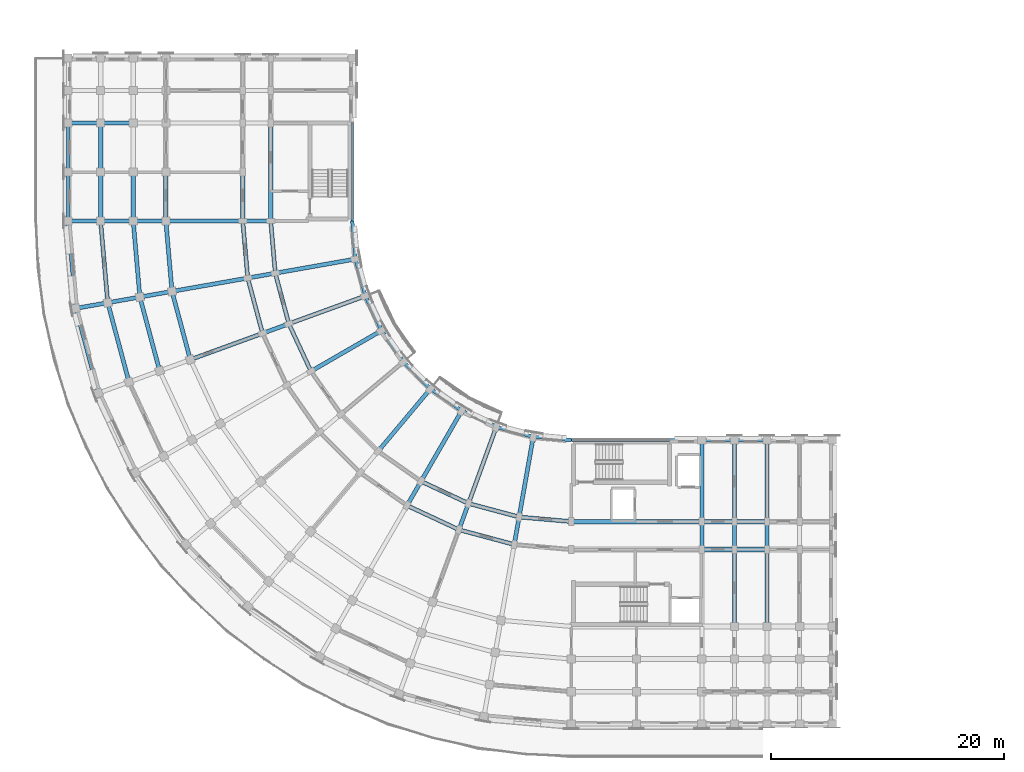
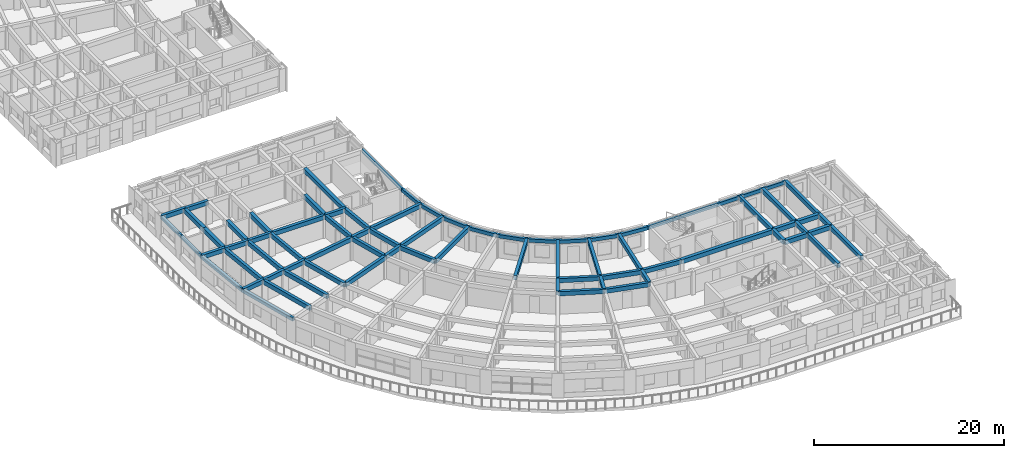
# One storey, part 6 of 57: 76 beams.
"""IFC4 building model written with IfcOpenShell, lengths in metres."""

from ifc_helpers import new_model, si_unit, direction, frame, origin, origin_2d, place, context, subcontext, project, spatial, rectangle, extrude, material, material_profile, profile_set, type_object, element, save


model = new_model("IFC4")

# Units and contexts
model_context = context("Model", 3, precision=1e-05, world=origin(), true_north=direction((0.0, 1.0)))
body_context = subcontext(model_context, "Body", "Model", "MODEL_VIEW")
ifc_project = project(units=[si_unit("LENGTHUNIT", "METRE"), si_unit("AREAUNIT", "SQUARE_METRE"), si_unit("VOLUMEUNIT", "CUBIC_METRE"), si_unit("PLANEANGLEUNIT", "RADIAN"), si_unit("MASSUNIT", "GRAM", prefix="KILO")], contexts=[model_context])

# Site, building, storey
site_placement = place(None, origin())
site = spatial("IfcSite", under=ifc_project, at=site_placement, CompositionType="ELEMENT")
building_placement = place(site_placement, origin())
building = spatial("IfcBuilding", under=site, at=building_placement, Name="Kiranvali Square Residences", CompositionType="ELEMENT")
storey_placement = place(building_placement, frame((0.0, 0.0, 21.300048828125)))
storey = spatial("IfcBuildingStorey", under=building, at=storey_placement, Name="L06", CompositionType="ELEMENT", Elevation=21.300048828125)

# Beams
ifc_material_1 = material(Name="Concrete M40 (40 MPa)", Category="concrete")
ifc_material_profile_1 = material_profile(ifc_material_1, rectangle(XDim=0.35009765625, YDim=0.550048828125, at=origin_2d()), Name="RC 350x550")
ifc_profile_set_1 = profile_set([ifc_material_profile_1], Name="Concrete M40 (40 MPa)")
beam_type_1 = type_object("IfcBeamType", Name="BM-M40-350x550", PredefinedType="BEAM", material=ifc_profile_set_1)
beam_1_placement = place(storey_placement, frame((48.199951171875, 22.39990234375, 2.655029296875), z_axis=(-0.996191949488, 0.087187153726, 0.0), x_axis=(-0.087187153726, -0.996191949488, 0.0)))
element("IfcBeam", 1, at=beam_1_placement, inside=storey, type_object=beam_type_1, Name="L06 beam BM-C-L06-C00-R1", PredefinedType="BEAM", context=body_context, shape_type="SweptSolid", body=[
    extrude(rectangle(XDim=0.35009765625, YDim=0.550048828125, at=origin_2d()), origin(), (0.0, 0.0, 1.0), 4.4970703125),
])
beam_2_placement = place(storey_placement, frame((43.719970703125, 22.7919921875, 2.655029296875), z_axis=(-0.965934240054, 0.258787642463, 0.0), x_axis=(-0.258787642463, -0.965934240054, 0.0)))
element("IfcBeam", 2, at=beam_2_placement, inside=storey, type_object=beam_type_1, Name="L06 beam BM-C-L06-C01-R1", PredefinedType="BEAM", context=body_context, shape_type="SweptSolid", body=[
    extrude(rectangle(XDim=0.35009765625, YDim=0.550048828125, at=origin_2d()), origin(), (0.0, 0.0, 1.0), 4.497314453125),
])
beam_3_placement = place(storey_placement, frame((43.30322265625, 20.428466796875, 2.655029296875), z_axis=(-0.965930095386, 0.258803112091, 0.0), x_axis=(-0.258803112091, -0.965930095386, 0.0)))
element("IfcBeam", 3, at=beam_3_placement, inside=storey, type_object=beam_type_1, Name="L06 beam BM-C-L06-C01-R2", PredefinedType="BEAM", context=body_context, shape_type="SweptSolid", body=[
    extrude(rectangle(XDim=0.35009765625, YDim=0.550048828125, at=origin_2d()), origin(), (0.0, 0.0, 1.0), 4.915771484375),
])
beam_4_placement = place(storey_placement, frame((39.3759765625, 23.955810546875, 2.655029296875), z_axis=(-0.906307919131, 0.422617978463, 0.0), x_axis=(-0.422617978463, -0.906307919131, 0.0)))
element("IfcBeam", 4, at=beam_4_placement, inside=storey, type_object=beam_type_1, Name="L06 beam BM-C-L06-C02-R1", PredefinedType="BEAM", context=body_context, shape_type="SweptSolid", body=[
    extrude(rectangle(XDim=0.35009765625, YDim=0.550048828125, at=origin_2d()), origin(), (0.0, 0.0, 1.0), 4.497314453125),
])
beam_5_placement = place(storey_placement, frame((38.554931640625, 21.70068359375, 2.655029296875), z_axis=(-0.906302381024, 0.422629854778, 0.0), x_axis=(-0.422629854778, -0.906302381024, 0.0)))
element("IfcBeam", 5, at=beam_5_placement, inside=storey, type_object=beam_type_1, Name="L06 beam BM-C-L06-C02-R2", PredefinedType="BEAM", context=body_context, shape_type="SweptSolid", body=[
    extrude(rectangle(XDim=0.35009765625, YDim=0.550048828125, at=origin_2d()), origin(), (0.0, 0.0, 1.0), 4.915283203125),
])
for number, where, z_axis, x_axis, name in (
    (6, (25.8564453125, 35.300048828125, 2.655029296875), (-0.422617978463, 0.906307919131, 0.0), (-0.906307919131, -0.422617978463, 0.0), "L06 beam BM-C-L06-C06-R1"),
    (7, (23.955810546875, 39.3759765625, 2.655029296875), (-0.258787642463, 0.965934240054, 0.0), (-0.965934240054, -0.258787642463, 0.0), "L06 beam BM-C-L06-C07-R1"),
):
    element("IfcBeam", number, at=place(storey_placement, frame(where, z_axis=z_axis, x_axis=x_axis)), inside=storey, type_object=beam_type_1, Name=name, PredefinedType="BEAM", context=body_context, shape_type="SweptSolid", body=[
        extrude(rectangle(XDim=0.35009765625, YDim=0.550048828125, at=origin_2d()), origin(), (0.0, 0.0, 1.0), 4.497314453125),
    ])
beam_6_placement = place(storey_placement, frame((21.70068359375, 38.554931640625, 2.655029296875), z_axis=(-0.258803112091, 0.965930095386, 0.0), x_axis=(-0.965930095386, -0.258803112091, 0.0)))
element("IfcBeam", 8, at=beam_6_placement, inside=storey, type_object=beam_type_1, Name="L06 beam BM-C-L06-C07-R2", PredefinedType="BEAM", context=body_context, shape_type="SweptSolid", body=[
    extrude(rectangle(XDim=0.35009765625, YDim=0.550048828125, at=origin_2d()), origin(), (0.0, 0.0, 1.0), 4.915771484375),
])
beam_7_placement = place(storey_placement, frame((15.498779296875, 36.297607421875, 2.655029296875), z_axis=(-0.258827283048, 0.965923618901, 0.0), x_axis=(-0.965923618901, -0.258827283048, 0.0)))
element("IfcBeam", 9, at=beam_7_placement, inside=storey, type_object=beam_type_1, Name="L06 beam BM-C-L06-C07-R3", PredefinedType="BEAM", context=body_context, shape_type="SweptSolid", body=[
    extrude(rectangle(XDim=0.35009765625, YDim=0.550048828125, at=origin_2d()), origin(), (0.0, 0.0, 1.0), 6.066162109375),
])
beam_8_placement = place(storey_placement, frame((12.86767578125, 35.340087890625, 2.655029296875), z_axis=(-0.258847178297, 0.965918287583, 0.0), x_axis=(-0.965918287583, -0.258847178297, 0.0)))
element("IfcBeam", 10, at=beam_8_placement, inside=storey, type_object=beam_type_1, Name="L06 beam BM-C-L06-C07-R4", PredefinedType="BEAM", context=body_context, shape_type="SweptSolid", body=[
    extrude(rectangle(XDim=0.35009765625, YDim=0.550048828125, at=origin_2d()), origin(), (0.0, 0.0, 1.0), 6.55419921875),
])
beam_9_placement = place(storey_placement, frame((10.236328125, 34.38232421875, 2.655029296875), z_axis=(-0.258799624492, 0.965931029817, 0.0), x_axis=(-0.965931029817, -0.258799624492, 0.0)))
element("IfcBeam", 11, at=beam_9_placement, inside=storey, type_object=beam_type_1, Name="L06 beam BM-C-L06-C07-R5", PredefinedType="BEAM", context=body_context, shape_type="SweptSolid", body=[
    extrude(rectangle(XDim=0.35009765625, YDim=0.550048828125, at=origin_2d()), origin(), (0.0, 0.0, 1.0), 7.042236328125),
])
beam_10_placement = place(storey_placement, frame((22.7919921875, 43.719970703125, 2.655029296875), z_axis=(-0.087187153726, 0.996191949488, 0.0), x_axis=(-0.996191949488, -0.087187153726, 0.0)))
element("IfcBeam", 12, at=beam_10_placement, inside=storey, type_object=beam_type_1, Name="L06 beam BM-C-L06-C08-R1", PredefinedType="BEAM", context=body_context, shape_type="SweptSolid", body=[
    extrude(rectangle(XDim=0.35009765625, YDim=0.550048828125, at=origin_2d()), origin(), (0.0, 0.0, 1.0), 4.4970703125),
])
beam_11_placement = place(storey_placement, frame((20.428466796875, 43.30322265625, 2.655029296875), z_axis=(-0.087167566415, 0.996193663584, 0.0), x_axis=(-0.996193663584, -0.087167566415, 0.0)))
element("IfcBeam", 13, at=beam_11_placement, inside=storey, type_object=beam_type_1, Name="L06 beam BM-C-L06-C08-R2", PredefinedType="BEAM", context=body_context, shape_type="SweptSolid", body=[
    extrude(rectangle(XDim=0.35009765625, YDim=0.550048828125, at=origin_2d()), origin(), (0.0, 0.0, 1.0), 4.91552734375),
])
beam_12_placement = place(storey_placement, frame((13.9287109375, 42.156982421875, 2.655029296875), z_axis=(-0.087174938512, 0.996193018494, 0.0), x_axis=(-0.996193018494, -0.087174938512, 0.0)))
element("IfcBeam", 14, at=beam_12_placement, inside=storey, type_object=beam_type_1, Name="L06 beam BM-C-L06-C08-R3", PredefinedType="BEAM", context=body_context, shape_type="SweptSolid", body=[
    extrude(rectangle(XDim=0.35009765625, YDim=0.550048828125, at=origin_2d()), origin(), (0.0, 0.0, 1.0), 6.066162109375),
])
beam_13_placement = place(storey_placement, frame((11.171142578125, 41.6708984375, 2.655029296875), z_axis=(-0.0871295204, 0.996196991902, 0.0), x_axis=(-0.996196991902, -0.0871295204, 0.0)))
element("IfcBeam", 15, at=beam_13_placement, inside=storey, type_object=beam_type_1, Name="L06 beam BM-C-L06-C08-R4", PredefinedType="BEAM", context=body_context, shape_type="SweptSolid", body=[
    extrude(rectangle(XDim=0.35009765625, YDim=0.550048828125, at=origin_2d()), origin(), (0.0, 0.0, 1.0), 6.553955078125),
])
beam_14_placement = place(storey_placement, frame((8.413818359375, 41.1845703125, 2.655029296875), z_axis=(-0.087156198737, 0.996194658198, 0.0), x_axis=(-0.996194658198, -0.087156198737, 0.0)))
element("IfcBeam", 16, at=beam_14_placement, inside=storey, type_object=beam_type_1, Name="L06 beam BM-C-L06-C08-R5", PredefinedType="BEAM", context=body_context, shape_type="SweptSolid", body=[
    extrude(rectangle(XDim=0.35009765625, YDim=0.550048828125, at=origin_2d()), origin(), (0.0, 0.0, 1.0), 7.042236328125),
])
beam_15_placement = place(storey_placement, frame((44.935302734375, 29.685546875, 2.655029296875), z_axis=(-0.173622177865, -0.984812337125, 0.0), x_axis=(0.984812337125, -0.173622177865, 0.0)))
element("IfcBeam", 17, at=beam_15_placement, inside=storey, type_object=beam_type_1, Name="L06 beam BM-C-L06-RAD01-01", PredefinedType="BEAM", context=body_context, shape_type="SweptSolid", body=[
    extrude(rectangle(XDim=0.35009765625, YDim=0.550048828125, at=origin_2d()), origin(), (0.0, 0.0, 1.0), 6.999755859375),
])
beam_16_placement = place(storey_placement, frame((43.719970703125, 22.7919921875, 2.655029296875), z_axis=(-0.173646056486, -0.984808127031, 0.0), x_axis=(0.984808127031, -0.173646056486, 0.0)))
element("IfcBeam", 18, at=beam_16_placement, inside=storey, type_object=beam_type_1, Name="L06 beam BM-C-L06-RAD01-12", PredefinedType="BEAM", context=body_context, shape_type="SweptSolid", body=[
    extrude(rectangle(XDim=0.35009765625, YDim=0.550048828125, at=origin_2d()), origin(), (0.0, 0.0, 1.0), 2.39990234375),
])
beam_17_placement = place(storey_placement, frame((41.77001953125, 30.53369140625, 2.655029296875), z_axis=(-0.342006283793, -0.939697665127, 0.0), x_axis=(0.939697665127, -0.342006283793, 0.0)))
element("IfcBeam", 19, at=beam_17_placement, inside=storey, type_object=beam_type_1, Name="L06 beam BM-C-L06-RAD02-01", PredefinedType="BEAM", context=body_context, shape_type="SweptSolid", body=[
    extrude(rectangle(XDim=0.35009765625, YDim=0.550048828125, at=origin_2d()), origin(), (0.0, 0.0, 1.0), 7.0),
])
beam_18_placement = place(storey_placement, frame((39.3759765625, 23.955810546875, 2.655029296875), z_axis=(-0.342110593602, -0.939659694648, 0.0), x_axis=(0.939659694648, -0.342110593602, 0.0)))
element("IfcBeam", 20, at=beam_18_placement, inside=storey, type_object=beam_type_1, Name="L06 beam BM-C-L06-RAD02-12", PredefinedType="BEAM", context=body_context, shape_type="SweptSolid", body=[
    extrude(rectangle(XDim=0.35009765625, YDim=0.550048828125, at=origin_2d()), origin(), (0.0, 0.0, 1.0), 2.39990234375),
])
beam_19_placement = place(storey_placement, frame((38.800048828125, 31.918701171875, 2.655029296875), z_axis=(-0.499995173006, -0.866028190633, 0.0), x_axis=(0.866028190633, -0.499995173006, 0.0)))
element("IfcBeam", 21, at=beam_19_placement, inside=storey, type_object=beam_type_1, Name="L06 beam BM-C-L06-RAD03-01", PredefinedType="BEAM", context=body_context, shape_type="SweptSolid", body=[
    extrude(rectangle(XDim=0.35009765625, YDim=0.550048828125, at=origin_2d()), origin(), (0.0, 0.0, 1.0), 7.0),
])
beam_20_placement = place(storey_placement, frame((35.300048828125, 25.8564453125, 2.655029296875), z_axis=(-0.500001309137, -0.866024647952, 0.0), x_axis=(0.866024647952, -0.500001309137, 0.0)))
element("IfcBeam", 22, at=beam_20_placement, inside=storey, type_object=beam_type_1, Name="L06 beam BM-C-L06-RAD03-12", PredefinedType="BEAM", context=body_context, shape_type="SweptSolid", body=[
    extrude(rectangle(XDim=0.35009765625, YDim=0.550048828125, at=origin_2d()), origin(), (0.0, 0.0, 1.0), 2.39990234375),
])
for number, where, z_axis, x_axis, name in (
    (23, (36.115478515625, 33.79833984375, 2.655029296875), (-0.642787931032, -0.766044173478, 0.0), (0.766044173478, -0.642787931032, 0.0), "L06 beam BM-C-L06-RAD04-01"),
    (24, (31.918701171875, 38.800048828125, 2.655029296875), (-0.866028190633, -0.499995173006, 0.0), (0.499995173006, -0.866028190633, 0.0), "L06 beam BM-C-L06-RAD06-01"),
    (25, (30.53369140625, 41.77001953125, 2.655029296875), (-0.939697665127, -0.342006283793, 0.0), (0.342006283793, -0.939697665127, 0.0), "L06 beam BM-C-L06-RAD07-01"),
):
    element("IfcBeam", number, at=place(storey_placement, frame(where, z_axis=z_axis, x_axis=x_axis)), inside=storey, type_object=beam_type_1, Name=name, PredefinedType="BEAM", context=body_context, shape_type="SweptSolid", body=[
        extrude(rectangle(XDim=0.35009765625, YDim=0.550048828125, at=origin_2d()), origin(), (0.0, 0.0, 1.0), 7.0),
    ])
beam_21_placement = place(storey_placement, frame((23.955810546875, 39.3759765625, 2.655029296875), z_axis=(-0.939659694648, -0.342110593602, 0.0), x_axis=(0.342110593602, -0.939659694648, 0.0)))
element("IfcBeam", 26, at=beam_21_placement, inside=storey, type_object=beam_type_1, Name="L06 beam BM-C-L06-RAD07-12", PredefinedType="BEAM", context=body_context, shape_type="SweptSolid", body=[
    extrude(rectangle(XDim=0.35009765625, YDim=0.550048828125, at=origin_2d()), origin(), (0.0, 0.0, 1.0), 2.39990234375),
])
beam_22_placement = place(storey_placement, frame((21.70068359375, 38.554931640625, 2.655029296875), z_axis=(-0.939691858249, -0.342022238372, 0.0), x_axis=(0.342022238372, -0.939691858249, 0.0)))
element("IfcBeam", 27, at=beam_22_placement, inside=storey, type_object=beam_type_1, Name="L06 beam BM-C-L06-RAD07-23", PredefinedType="BEAM", context=body_context, shape_type="SweptSolid", body=[
    extrude(rectangle(XDim=0.35009765625, YDim=0.550048828125, at=origin_2d()), origin(), (0.0, 0.0, 1.0), 6.599853515625),
])
beam_23_placement = place(storey_placement, frame((29.685546875, 44.935302734375, 2.655029296875), z_axis=(-0.984812337125, -0.173622177865, 0.0), x_axis=(0.173622177865, -0.984812337125, 0.0)))
element("IfcBeam", 28, at=beam_23_placement, inside=storey, type_object=beam_type_1, Name="L06 beam BM-C-L06-RAD08-01", PredefinedType="BEAM", context=body_context, shape_type="SweptSolid", body=[
    extrude(rectangle(XDim=0.35009765625, YDim=0.550048828125, at=origin_2d()), origin(), (0.0, 0.0, 1.0), 6.999755859375),
])
beam_24_placement = place(storey_placement, frame((22.7919921875, 43.719970703125, 2.655029296875), z_axis=(-0.984808127031, -0.173646056486, 0.0), x_axis=(0.173646056486, -0.984808127031, 0.0)))
element("IfcBeam", 29, at=beam_24_placement, inside=storey, type_object=beam_type_1, Name="L06 beam BM-C-L06-RAD08-12", PredefinedType="BEAM", context=body_context, shape_type="SweptSolid", body=[
    extrude(rectangle(XDim=0.35009765625, YDim=0.550048828125, at=origin_2d()), origin(), (0.0, 0.0, 1.0), 2.39990234375),
])
beam_25_placement = place(storey_placement, frame((20.428466796875, 43.30322265625, 2.655029296875), z_axis=(-0.984803661269, -0.173671381499, 0.0), x_axis=(0.173671381499, -0.984803661269, 0.0)))
element("IfcBeam", 30, at=beam_25_placement, inside=storey, type_object=beam_type_1, Name="L06 beam BM-C-L06-RAD08-23", PredefinedType="BEAM", context=body_context, shape_type="SweptSolid", body=[
    extrude(rectangle(XDim=0.35009765625, YDim=0.550048828125, at=origin_2d()), origin(), (0.0, 0.0, 1.0), 6.60009765625),
])
beam_26_placement = place(storey_placement, frame((13.9287109375, 42.156982421875, 2.655029296875), z_axis=(-0.984816895441, -0.173596320392, 0.0), x_axis=(0.173596320392, -0.984816895441, 0.0)))
element("IfcBeam", 31, at=beam_26_placement, inside=storey, type_object=beam_type_1, Name="L06 beam BM-C-L06-RAD08-34", PredefinedType="BEAM", context=body_context, shape_type="SweptSolid", body=[
    extrude(rectangle(XDim=0.35009765625, YDim=0.550048828125, at=origin_2d()), origin(), (0.0, 0.0, 1.0), 2.800048828125),
])
beam_27_placement = place(storey_placement, frame((11.171142578125, 41.6708984375, 2.655029296875), z_axis=(-0.984799355489, -0.173695795656, 0.0), x_axis=(0.173695795656, -0.984799355489, 0.0)))
element("IfcBeam", 32, at=beam_27_placement, inside=storey, type_object=beam_type_1, Name="L06 beam BM-C-L06-RAD08-45", PredefinedType="BEAM", context=body_context, shape_type="SweptSolid", body=[
    extrude(rectangle(XDim=0.35009765625, YDim=0.550048828125, at=origin_2d()), origin(), (0.0, 0.0, 1.0), 2.7998046875),
])
beam_28_placement = place(storey_placement, frame((8.413818359375, 41.1845703125, 2.695068359375), z_axis=(-0.984816895441, -0.173596320392, 0.0), x_axis=(0.173596320392, -0.984816895441, 0.0)))
element("IfcBeam", 33, at=beam_28_placement, inside=storey, type_object=beam_type_1, Name="L06 beam BM-C-L06-RAD08-56", PredefinedType="BEAM", context=body_context, shape_type="SweptSolid", body=[
    extrude(rectangle(XDim=0.35009765625, YDim=0.550048828125, at=origin_2d()), origin(), (0.0, 0.0, 1.0), 2.800048828125),
])
beam_29_placement = place(storey_placement, frame((59.39990234375, 29.39990234375, 2.655029296875), z_axis=(0.0, -1.0, 0.0), x_axis=(1.0, 0.0, 0.0)))
element("IfcBeam", 34, at=beam_29_placement, inside=storey, type_object=beam_type_1, Name="L06 beam BM-C-L06-A1T1-01", PredefinedType="BEAM", context=body_context, shape_type="SweptSolid", body=[
    extrude(rectangle(XDim=0.35009765625, YDim=0.550048828125, at=origin_2d()), origin(), (0.0, 0.0, 1.0), 7.0),
])
beam_30_placement = place(storey_placement, frame((59.39990234375, 22.39990234375, 2.655029296875), z_axis=(0.0, -1.0, 0.0), x_axis=(1.0, 0.0, 0.0)))
element("IfcBeam", 35, at=beam_30_placement, inside=storey, type_object=beam_type_1, Name="L06 beam BM-C-L06-A1T1-12", PredefinedType="BEAM", context=body_context, shape_type="SweptSolid", body=[
    extrude(rectangle(XDim=0.35009765625, YDim=0.550048828125, at=origin_2d()), origin(), (0.0, 0.0, 1.0), 2.39990234375),
])
beam_31_placement = place(storey_placement, frame((62.199951171875, 29.39990234375, 2.655029296875), z_axis=(0.0, -1.0, 0.0), x_axis=(1.0, 0.0, 0.0)))
element("IfcBeam", 36, at=beam_31_placement, inside=storey, type_object=beam_type_1, Name="L06 beam BM-C-L06-A1T2-01", PredefinedType="BEAM", context=body_context, shape_type="SweptSolid", body=[
    extrude(rectangle(XDim=0.35009765625, YDim=0.550048828125, at=origin_2d()), origin(), (0.0, 0.0, 1.0), 7.0),
])
beam_32_placement = place(storey_placement, frame((62.199951171875, 22.39990234375, 2.655029296875), z_axis=(0.0, -1.0, 0.0), x_axis=(1.0, 0.0, 0.0)))
element("IfcBeam", 37, at=beam_32_placement, inside=storey, type_object=beam_type_1, Name="L06 beam BM-C-L06-A1T2-12", PredefinedType="BEAM", context=body_context, shape_type="SweptSolid", body=[
    extrude(rectangle(XDim=0.35009765625, YDim=0.550048828125, at=origin_2d()), origin(), (0.0, 0.0, 1.0), 2.39990234375),
])
beam_33_placement = place(storey_placement, frame((62.199951171875, 20.0, 2.655029296875), z_axis=(0.0, -1.0, 0.0), x_axis=(1.0, 0.0, 0.0)))
element("IfcBeam", 38, at=beam_33_placement, inside=storey, type_object=beam_type_1, Name="L06 beam BM-C-L06-A1T2-23", PredefinedType="BEAM", context=body_context, shape_type="SweptSolid", body=[
    extrude(rectangle(XDim=0.35009765625, YDim=0.550048828125, at=origin_2d()), origin(), (0.0, 0.0, 1.0), 6.60009765625),
])
beam_34_placement = place(storey_placement, frame((65.0, 29.39990234375, 2.655029296875), z_axis=(0.0, -1.0, 0.0), x_axis=(1.0, 0.0, 0.0)))
element("IfcBeam", 39, at=beam_34_placement, inside=storey, type_object=beam_type_1, Name="L06 beam BM-C-L06-A1T3-01", PredefinedType="BEAM", context=body_context, shape_type="SweptSolid", body=[
    extrude(rectangle(XDim=0.35009765625, YDim=0.550048828125, at=origin_2d()), origin(), (0.0, 0.0, 1.0), 7.0),
])
beam_35_placement = place(storey_placement, frame((65.0, 22.39990234375, 2.655029296875), z_axis=(0.0, -1.0, 0.0), x_axis=(1.0, 0.0, 0.0)))
element("IfcBeam", 40, at=beam_35_placement, inside=storey, type_object=beam_type_1, Name="L06 beam BM-C-L06-A1T3-12", PredefinedType="BEAM", context=body_context, shape_type="SweptSolid", body=[
    extrude(rectangle(XDim=0.35009765625, YDim=0.550048828125, at=origin_2d()), origin(), (0.0, 0.0, 1.0), 2.39990234375),
])
beam_36_placement = place(storey_placement, frame((65.0, 20.0, 2.655029296875), z_axis=(0.0, -1.0, 0.0), x_axis=(1.0, 0.0, 0.0)))
element("IfcBeam", 41, at=beam_36_placement, inside=storey, type_object=beam_type_1, Name="L06 beam BM-C-L06-A1T3-23", PredefinedType="BEAM", context=body_context, shape_type="SweptSolid", body=[
    extrude(rectangle(XDim=0.35009765625, YDim=0.550048828125, at=origin_2d()), origin(), (0.0, 0.0, 1.0), 6.60009765625),
])
beam_37_placement = place(storey_placement, frame((22.39990234375, 48.199951171875, 2.655029296875), z_axis=(-1.0, 0.0, 0.0), x_axis=(0.0, -1.0, 0.0)))
element("IfcBeam", 42, at=beam_37_placement, inside=storey, type_object=beam_type_1, Name="L06 beam BM-C-L06-A2T0-12", PredefinedType="BEAM", context=body_context, shape_type="SweptSolid", body=[
    extrude(rectangle(XDim=0.35009765625, YDim=0.550048828125, at=origin_2d()), origin(), (0.0, 0.0, 1.0), 2.39990234375),
])
beam_38_placement = place(storey_placement, frame((20.0, 48.199951171875, 2.655029296875), z_axis=(-1.0, 0.0, 0.0), x_axis=(0.0, -1.0, 0.0)))
element("IfcBeam", 43, at=beam_38_placement, inside=storey, type_object=beam_type_1, Name="L06 beam BM-C-L06-A2T0-23", PredefinedType="BEAM", context=body_context, shape_type="SweptSolid", body=[
    extrude(rectangle(XDim=0.35009765625, YDim=0.550048828125, at=origin_2d()), origin(), (0.0, 0.0, 1.0), 6.60009765625),
])
beam_39_placement = place(storey_placement, frame((13.39990234375, 48.199951171875, 2.655029296875), z_axis=(-1.0, 0.0, 0.0), x_axis=(0.0, -1.0, 0.0)))
element("IfcBeam", 44, at=beam_39_placement, inside=storey, type_object=beam_type_1, Name="L06 beam BM-C-L06-A2T0-34", PredefinedType="BEAM", context=body_context, shape_type="SweptSolid", body=[
    extrude(rectangle(XDim=0.35009765625, YDim=0.550048828125, at=origin_2d()), origin(), (0.0, 0.0, 1.0), 2.7998046875),
])
for number, where, z_axis, x_axis, name in (
    (45, (10.60009765625, 48.199951171875, 2.655029296875), (-1.0, 0.0, 0.0), (0.0, -1.0, 0.0), "L06 beam BM-C-L06-A2T0-45"),
    (46, (7.800048828125, 48.199951171875, 2.695068359375), (-1.0, 0.0, 0.0), (0.0, -1.0, 0.0), "L06 beam BM-C-L06-A2T0-56"),
    (47, (10.60009765625, 56.60009765625, 2.655029296875), (-1.0, 0.0, 0.0), (0.0, -1.0, 0.0), "L06 beam BM-C-L06-A2T1-45"),
    (48, (7.800048828125, 56.60009765625, 2.695068359375), (-1.0, 0.0, 0.0), (0.0, -1.0, 0.0), "L06 beam BM-C-L06-A2T1-56"),
):
    element("IfcBeam", number, at=place(storey_placement, frame(where, z_axis=z_axis, x_axis=x_axis)), inside=storey, type_object=beam_type_1, Name=name, PredefinedType="BEAM", context=body_context, shape_type="SweptSolid", body=[
        extrude(rectangle(XDim=0.35009765625, YDim=0.550048828125, at=origin_2d()), origin(), (0.0, 0.0, 1.0), 2.800048828125),
    ])
ifc_material_2 = material(Name="Concrete M45 (45 MPa)", Category="concrete")
ifc_material_profile_2 = material_profile(ifc_material_2, rectangle(XDim=0.39990234375, YDim=0.550048828125, at=origin_2d()), Name="RC 400x550")
ifc_profile_set_2 = profile_set([ifc_material_profile_2], Name="Concrete M45 (45 MPa)")
beam_type_2 = type_object("IfcBeamType", Name="BM-M45-400x550", PredefinedType="BEAM", material=ifc_profile_set_2)
beam_40_placement = place(storey_placement, frame((48.199951171875, 22.39990234375, 2.655029296875), z_axis=(1.0, 0.0, 0.0), x_axis=(0.0, 1.0, 0.0)))
element("IfcBeam", 49, at=beam_40_placement, inside=storey, type_object=beam_type_2, Name="L06 beam BM-C-L06-A1U0-R1", PredefinedType="BEAM", context=body_context, shape_type="SweptSolid", body=[
    extrude(rectangle(XDim=0.39990234375, YDim=0.550048828125, at=origin_2d()), origin(), (0.0, 0.0, 1.0), 11.199951171875),
])
for number, where, z_axis, x_axis, name in (
    (50, (59.39990234375, 22.39990234375, 2.655029296875), (1.0, 0.0, 0.0), (0.0, 1.0, 0.0), "L06 beam BM-C-L06-A1U1-R1"),
    (51, (62.199951171875, 22.39990234375, 2.655029296875), (1.0, 0.0, 0.0), (0.0, 1.0, 0.0), "L06 beam BM-C-L06-A1U2-R1"),
    (52, (59.39990234375, 20.0, 2.655029296875), (1.0, 0.0, 0.0), (0.0, 1.0, 0.0), "L06 beam BM-C-L06-A1U1-R2"),
    (53, (62.199951171875, 20.0, 2.655029296875), (1.0, 0.0, 0.0), (0.0, 1.0, 0.0), "L06 beam BM-C-L06-A1U2-R2"),
):
    element("IfcBeam", number, at=place(storey_placement, frame(where, z_axis=z_axis, x_axis=x_axis)), inside=storey, type_object=beam_type_2, Name=name, PredefinedType="BEAM", context=body_context, shape_type="SweptSolid", body=[
        extrude(rectangle(XDim=0.39990234375, YDim=0.550048828125, at=origin_2d()), origin(), (0.0, 0.0, 1.0), 2.800048828125),
    ])
beam_41_placement = place(storey_placement, frame((22.39990234375, 48.199951171875, 2.655029296875), z_axis=(0.0, 1.0, 0.0), x_axis=(-1.0, 0.0, 0.0)))
element("IfcBeam", 54, at=beam_41_placement, inside=storey, type_object=beam_type_2, Name="L06 beam BM-C-L06-A2V0-R1", PredefinedType="BEAM", context=body_context, shape_type="SweptSolid", body=[
    extrude(rectangle(XDim=0.39990234375, YDim=0.550048828125, at=origin_2d()), origin(), (0.0, 0.0, 1.0), 8.400146484375),
])
for number, where, z_axis, x_axis, name in (
    (55, (20.0, 48.199951171875, 2.655029296875), (0.0, 1.0, 0.0), (-1.0, 0.0, 0.0), "L06 beam BM-C-L06-A2V0-R2"),
    (56, (13.39990234375, 48.199951171875, 2.655029296875), (0.0, 1.0, 0.0), (-1.0, 0.0, 0.0), "L06 beam BM-C-L06-A2V0-R3"),
    (57, (10.60009765625, 48.199951171875, 2.655029296875), (0.0, 1.0, 0.0), (-1.0, 0.0, 0.0), "L06 beam BM-C-L06-A2V0-R4"),
    (58, (7.800048828125, 48.199951171875, 2.655029296875), (0.0, 1.0, 0.0), (-1.0, 0.0, 0.0), "L06 beam BM-C-L06-A2V0-R5"),
):
    element("IfcBeam", number, at=place(storey_placement, frame(where, z_axis=z_axis, x_axis=x_axis)), inside=storey, type_object=beam_type_2, Name=name, PredefinedType="BEAM", context=body_context, shape_type="SweptSolid", body=[
        extrude(rectangle(XDim=0.39990234375, YDim=0.550048828125, at=origin_2d()), origin(), (0.0, 0.0, 1.0), 4.199951171875),
    ])
beam_42_placement = place(storey_placement, frame((7.800048828125, 52.39990234375, 2.655029296875), z_axis=(0.0, 1.0, 0.0), x_axis=(-1.0, 0.0, 0.0)))
element("IfcBeam", 59, at=beam_42_placement, inside=storey, type_object=beam_type_2, Name="L06 beam BM-C-L06-A2V1-R5", PredefinedType="BEAM", context=body_context, shape_type="SweptSolid", body=[
    extrude(rectangle(XDim=0.39990234375, YDim=0.550048828125, at=origin_2d()), origin(), (0.0, 0.0, 1.0), 4.2001953125),
])
ifc_material_profile_3 = material_profile(ifc_material_1, rectangle(XDim=0.25, YDim=0.449951171875, at=origin_2d()), Name="RC 250x450")
ifc_profile_set_3 = profile_set([ifc_material_profile_3], Name="Concrete M40 (40 MPa)")
beam_type_3 = type_object("IfcBeamType", Name="SPN-M40-250x450", PredefinedType="SPANDREL", material=ifc_profile_set_3)
beam_43_placement = place(storey_placement, frame((48.199951171875, 29.39990234375, 2.704833984375), z_axis=(1.0, 0.0, 0.0), x_axis=(0.0, 1.0, 0.0)))
element("IfcBeam", 60, at=beam_43_placement, inside=storey, type_object=beam_type_3, Name="L06 beam BM-C-L06-A1U0-R0", PredefinedType="SPANDREL", context=body_context, shape_type="SweptSolid", body=[
    extrude(rectangle(XDim=0.25, YDim=0.449951171875, at=origin_2d()), origin(), (0.0, 0.0, 1.0), 11.199951171875),
])
for number, where, z_axis, x_axis, name in (
    (61, (59.39990234375, 29.39990234375, 2.704833984375), (1.0, 0.0, 0.0), (0.0, 1.0, 0.0), "L06 beam BM-C-L06-A1U1-R0"),
    (62, (62.199951171875, 29.39990234375, 2.704833984375), (1.0, 0.0, 0.0), (0.0, 1.0, 0.0), "L06 beam BM-C-L06-A1U2-R0"),
):
    element("IfcBeam", number, at=place(storey_placement, frame(where, z_axis=z_axis, x_axis=x_axis)), inside=storey, type_object=beam_type_3, Name=name, PredefinedType="SPANDREL", context=body_context, shape_type="SweptSolid", body=[
        extrude(rectangle(XDim=0.25, YDim=0.449951171875, at=origin_2d()), origin(), (0.0, 0.0, 1.0), 2.800048828125),
    ])
beam_44_placement = place(storey_placement, frame((29.39990234375, 48.199951171875, 2.704833984375), z_axis=(0.0, 1.0, 0.0), x_axis=(-1.0, 0.0, 0.0)))
element("IfcBeam", 63, at=beam_44_placement, inside=storey, type_object=beam_type_3, Name="L06 beam BM-C-L06-A2V0-R0", PredefinedType="SPANDREL", context=body_context, shape_type="SweptSolid", body=[
    extrude(rectangle(XDim=0.25, YDim=0.449951171875, at=origin_2d()), origin(), (0.0, 0.0, 1.0), 8.400146484375),
])
beam_45_placement = place(storey_placement, frame((5.0, 48.199951171875, 2.744873046875), z_axis=(0.0, 1.0, 0.0), x_axis=(-1.0, 0.0, 0.0)))
element("IfcBeam", 64, at=beam_45_placement, inside=storey, type_object=beam_type_3, Name="L06 beam BM-C-L06-A2V0-R6", PredefinedType="SPANDREL", context=body_context, shape_type="SweptSolid", body=[
    extrude(rectangle(XDim=0.25, YDim=0.449951171875, at=origin_2d()), origin(), (0.0, 0.0, 1.0), 4.199951171875),
])
beam_46_placement = place(storey_placement, frame((5.0, 52.39990234375, 2.744873046875), z_axis=(0.0, 1.0, 0.0), x_axis=(-1.0, 0.0, 0.0)))
element("IfcBeam", 65, at=beam_46_placement, inside=storey, type_object=beam_type_3, Name="L06 beam BM-C-L06-A2V1-R6", PredefinedType="SPANDREL", context=body_context, shape_type="SweptSolid", body=[
    extrude(rectangle(XDim=0.25, YDim=0.449951171875, at=origin_2d()), origin(), (0.0, 0.0, 1.0), 4.2001953125),
])
ifc_material_profile_4 = material_profile(ifc_material_1, rectangle(XDim=0.300048828125, YDim=0.449951171875, at=origin_2d()), Name="RC 300x450")
ifc_profile_set_4 = profile_set([ifc_material_profile_4], Name="Concrete M40 (40 MPa)")
beam_type_4 = type_object("IfcBeamType", Name="SPN-M40-300x450", PredefinedType="SPANDREL", material=ifc_profile_set_4)
beam_47_placement = place(storey_placement, frame((48.199951171875, 29.39990234375, 2.704833984375), z_axis=(-0.996194040944, 0.087163253657, 0.0), x_axis=(-0.087163253657, -0.996194040944, 0.0)))
element("IfcBeam", 66, at=beam_47_placement, inside=storey, type_object=beam_type_4, Name="L06 beam BM-C-L06-C00-R0", PredefinedType="SPANDREL", context=body_context, shape_type="SweptSolid", body=[
    extrude(rectangle(XDim=0.300048828125, YDim=0.449951171875, at=origin_2d()), origin(), (0.0, 0.0, 1.0), 3.277099609375),
])
beam_48_placement = place(storey_placement, frame((44.935302734375, 29.685546875, 2.704833984375), z_axis=(-0.965925105099, 0.258821736607, 0.0), x_axis=(-0.258821736607, -0.965925105099, 0.0)))
element("IfcBeam", 67, at=beam_48_placement, inside=storey, type_object=beam_type_4, Name="L06 beam BM-C-L06-C01-R0", PredefinedType="SPANDREL", context=body_context, shape_type="SweptSolid", body=[
    extrude(rectangle(XDim=0.300048828125, YDim=0.449951171875, at=origin_2d()), origin(), (0.0, 0.0, 1.0), 3.27685546875),
])
for number, where, z_axis, x_axis, name in (
    (68, (41.77001953125, 30.53369140625, 2.704833984375), (-0.90629730464, 0.422640740585, 0.0), (-0.422640740585, -0.90629730464, 0.0), "L06 beam BM-C-L06-C02-R0"),
    (69, (38.800048828125, 31.918701171875, 2.704833984375), (-0.81916891812, 0.573552337269, 0.0), (-0.573552337269, -0.81916891812, 0.0), "L06 beam BM-C-L06-C03-R0"),
):
    element("IfcBeam", number, at=place(storey_placement, frame(where, z_axis=z_axis, x_axis=x_axis)), inside=storey, type_object=beam_type_4, Name=name, PredefinedType="SPANDREL", context=body_context, shape_type="SweptSolid", body=[
        extrude(rectangle(XDim=0.300048828125, YDim=0.449951171875, at=origin_2d()), origin(), (0.0, 0.0, 1.0), 3.277099609375),
    ])
beam_49_placement = place(storey_placement, frame((36.115478515625, 33.79833984375, 2.704833984375), z_axis=(-0.707106781187, 0.707106781187, 0.0), x_axis=(-0.707106781187, -0.707106781187, 0.0)))
element("IfcBeam", 70, at=beam_49_placement, inside=storey, type_object=beam_type_4, Name="L06 beam BM-C-L06-C04-R0", PredefinedType="SPANDREL", context=body_context, shape_type="SweptSolid", body=[
    extrude(rectangle(XDim=0.300048828125, YDim=0.449951171875, at=origin_2d()), origin(), (0.0, 0.0, 1.0), 3.27685546875),
])
for number, where, z_axis, x_axis, name in (
    (71, (33.79833984375, 36.115478515625, 2.704833984375), (-0.573552337269, 0.81916891812, 0.0), (-0.81916891812, -0.573552337269, 0.0), "L06 beam BM-C-L06-C05-R0"),
    (72, (31.918701171875, 38.800048828125, 2.704833984375), (-0.422640740585, 0.90629730464, 0.0), (-0.90629730464, -0.422640740585, 0.0), "L06 beam BM-C-L06-C06-R0"),
):
    element("IfcBeam", number, at=place(storey_placement, frame(where, z_axis=z_axis, x_axis=x_axis)), inside=storey, type_object=beam_type_4, Name=name, PredefinedType="SPANDREL", context=body_context, shape_type="SweptSolid", body=[
        extrude(rectangle(XDim=0.300048828125, YDim=0.449951171875, at=origin_2d()), origin(), (0.0, 0.0, 1.0), 3.277099609375),
    ])
beam_50_placement = place(storey_placement, frame((30.53369140625, 41.77001953125, 2.704833984375), z_axis=(-0.258821736607, 0.965925105099, 0.0), x_axis=(-0.965925105099, -0.258821736607, 0.0)))
element("IfcBeam", 73, at=beam_50_placement, inside=storey, type_object=beam_type_4, Name="L06 beam BM-C-L06-C07-R0", PredefinedType="SPANDREL", context=body_context, shape_type="SweptSolid", body=[
    extrude(rectangle(XDim=0.300048828125, YDim=0.449951171875, at=origin_2d()), origin(), (0.0, 0.0, 1.0), 3.27685546875),
])
beam_51_placement = place(storey_placement, frame((7.605224609375, 33.4248046875, 2.744873046875), z_axis=(-0.258818733833, 0.965925909693, 0.0), x_axis=(-0.965925909693, -0.258818733833, 0.0)))
element("IfcBeam", 74, at=beam_51_placement, inside=storey, type_object=beam_type_4, Name="L06 beam BM-C-L06-C07-R6", PredefinedType="SPANDREL", context=body_context, shape_type="SweptSolid", body=[
    extrude(rectangle(XDim=0.300048828125, YDim=0.449951171875, at=origin_2d()), origin(), (0.0, 0.0, 1.0), 7.5302734375),
])
beam_52_placement = place(storey_placement, frame((29.685546875, 44.935302734375, 2.704833984375), z_axis=(-0.087163253657, 0.996194040944, 0.0), x_axis=(-0.996194040944, -0.087163253657, 0.0)))
element("IfcBeam", 75, at=beam_52_placement, inside=storey, type_object=beam_type_4, Name="L06 beam BM-C-L06-C08-R0", PredefinedType="SPANDREL", context=body_context, shape_type="SweptSolid", body=[
    extrude(rectangle(XDim=0.300048828125, YDim=0.449951171875, at=origin_2d()), origin(), (0.0, 0.0, 1.0), 3.277099609375),
])
beam_53_placement = place(storey_placement, frame((5.65625, 40.698486328125, 2.744873046875), z_axis=(-0.087150058103, 0.996195195417, 0.0), x_axis=(-0.996195195417, -0.087150058103, 0.0)))
element("IfcBeam", 76, at=beam_53_placement, inside=storey, type_object=beam_type_4, Name="L06 beam BM-C-L06-C08-R6", PredefinedType="SPANDREL", context=body_context, shape_type="SweptSolid", body=[
    extrude(rectangle(XDim=0.300048828125, YDim=0.449951171875, at=origin_2d()), origin(), (0.0, 0.0, 1.0), 7.530029296875),
])

save(model, "model.ifc")
